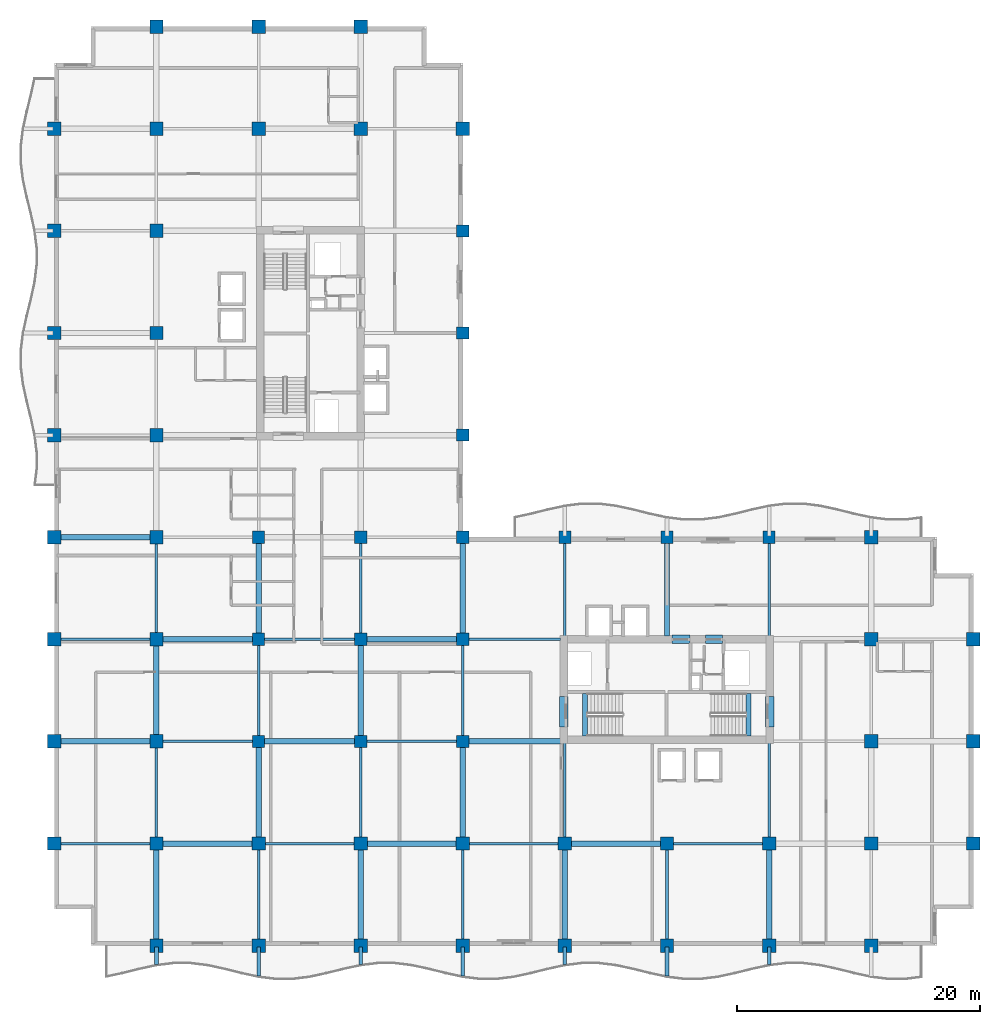
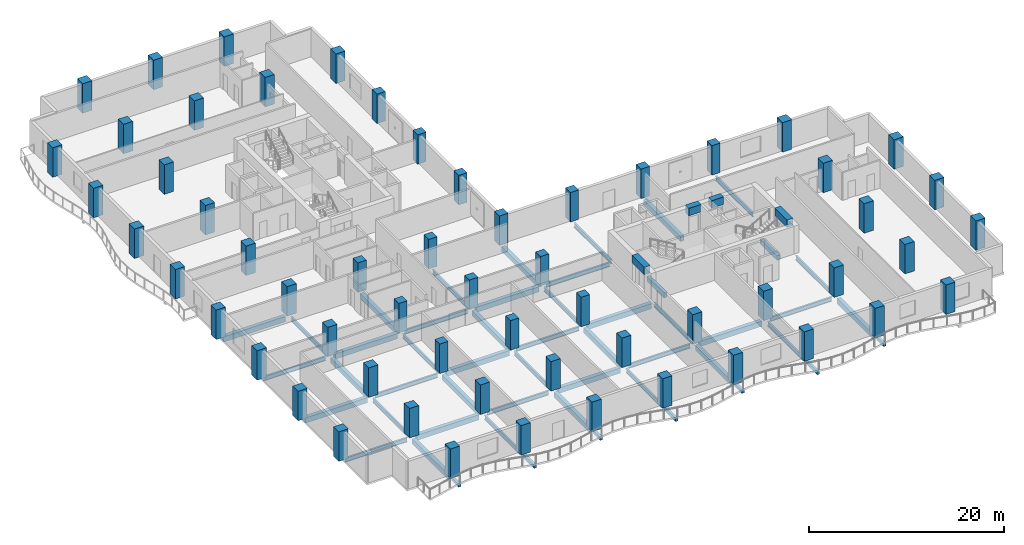
# One storey, part 1 of 15: 58 columns, 55 beams.
"""IFC4 building model written with IfcOpenShell, lengths in metres."""

from ifc_helpers import new_model, si_unit, direction, frame, origin, origin_2d, place, context, subcontext, project, spatial, rectangle, i_section, extrude, material, material_profile, profile_set, type_object, element, save


model = new_model("IFC4")

# Units and contexts
model_context = context("Model", 3, precision=1e-05, world=origin(), true_north=direction((0.0, 1.0)))
body_context = subcontext(model_context, "Body", "Model", "MODEL_VIEW")
ifc_project = project(units=[si_unit("LENGTHUNIT", "METRE"), si_unit("AREAUNIT", "SQUARE_METRE"), si_unit("VOLUMEUNIT", "CUBIC_METRE"), si_unit("PLANEANGLEUNIT", "RADIAN"), si_unit("MASSUNIT", "GRAM", prefix="KILO")], contexts=[model_context])

# Site, building, storey
site_placement = place(None, origin())
site = spatial("IfcSite", under=ifc_project, at=site_placement, CompositionType="ELEMENT")
building_placement = place(site_placement, origin())
building = spatial("IfcBuilding", under=site, at=building_placement, Name="Koriwani Terraces Tower", CompositionType="ELEMENT")
storey_placement = place(building_placement, frame((0.0, 0.0, 216.10009765625)))
storey = spatial("IfcBuildingStorey", under=building, at=storey_placement, Name="L53", CompositionType="ELEMENT", Elevation=216.10009765625)

# Columns
ifc_material_1 = material(Name="Concrete C50/60", Category="concrete")
ifc_material_profile_1 = material_profile(ifc_material_1, rectangle(XDim=1.0, YDim=1.0, at=origin_2d()), Name="Concrete C50/60", Category="LoadBearing")
ifc_profile_set_1 = profile_set([ifc_material_profile_1], Name="Concrete C50/60")
column_type_1 = type_object("IfcColumnType", Name="COL_RC_1000X1000", PredefinedType="COLUMN", material=ifc_profile_set_1)
for number, where, z_axis, x_axis, name in (
    (1, (16.800048828125, 16.800048828125, 0.0), (0.0, 0.0, 1.0), (1.0, 0.0, 0.0), "L53 Column 3/C"),
    (2, (16.800048828125, 25.199951171875, 0.0), (0.0, 0.0, 1.0), (1.0, 0.0, 0.0), "L53 Column 3/D"),
    (3, (16.800048828125, 33.60009765625, 0.0), (0.0, 0.0, 1.0), (1.0, 0.0, 0.0), "L53 Column 3/E"),
    (4, (25.199951171875, 16.800048828125, 0.0), (0.0, 0.0, 1.0), (1.0, 0.0, 0.0), "L53 Column 4/C"),
    (5, (25.199951171875, 25.199951171875, 0.0), (0.0, 0.0, 1.0), (1.0, 0.0, 0.0), "L53 Column 4/D"),
    (6, (25.199951171875, 33.60009765625, 0.0), (0.0, 0.0, 1.0), (1.0, 0.0, 0.0), "L53 Column 4/E"),
    (7, (33.60009765625, 16.800048828125, 0.0), (0.0, 0.0, 1.0), (1.0, 0.0, 0.0), "L53 Column 5/C"),
    (8, (33.60009765625, 25.199951171875, 0.0), (0.0, 0.0, 1.0), (1.0, 0.0, 0.0), "L53 Column 5/D"),
    (9, (33.60009765625, 33.60009765625, 0.0), (0.0, 0.0, 1.0), (1.0, 0.0, 0.0), "L53 Column 5/E"),
    (10, (33.60009765625, 42.0, 0.0), (0.0, 0.0, 1.0), (1.0, 0.0, 0.0), "L53 Column 5/F"),
    (11, (33.60009765625, 50.39990234375, 0.0), (0.0, 0.0, 1.0), (1.0, 0.0, 0.0), "L53 Column 5/G"),
    (12, (33.60009765625, 58.800048828125, 0.0), (0.0, 0.0, 1.0), (1.0, 0.0, 0.0), "L53 Column 5/H"),
    (13, (42.0, 33.60009765625, 0.0), (0.0, 0.0, 1.0), (1.0, 0.0, 0.0), "L53 Column 6/E"),
    (14, (50.39990234375, 33.60009765625, 0.0), (0.0, 0.0, 1.0), (1.0, 0.0, 0.0), "L53 Column 7/E"),
    (15, (58.800048828125, 33.60009765625, 0.0), (0.0, 0.0, 1.0), (1.0, 0.0, 0.0), "L53 Column 8/E"),
):
    element("IfcColumn", number, at=place(storey_placement, frame(where, z_axis=z_axis, x_axis=x_axis)), inside=storey, type_object=column_type_1, Name=name, PredefinedType="COLUMN", context=body_context, shape_type="SweptSolid", body=[
        extrude(rectangle(XDim=1.0, YDim=1.0, at=origin_2d()), origin(), (0.0, 0.0, 1.0), 3.699951171875),
    ])
ifc_material_profile_2 = material_profile(ifc_material_1, rectangle(XDim=1.10009765625, YDim=1.10009765625, at=origin_2d()), Name="Concrete C50/60", Category="LoadBearing")
ifc_profile_set_2 = profile_set([ifc_material_profile_2], Name="Concrete C50/60")
column_type_2 = type_object("IfcColumnType", Name="COL_RC_1100X1100", PredefinedType="COLUMN", material=ifc_profile_set_2)
for number, where, z_axis, x_axis, name in (
    (16, (0.0, 8.39990234375, 0.0), (0.0, 0.0, 1.0), (1.0, 0.0, 0.0), "L53 Column 1/B"),
    (17, (0.0, 16.800048828125, 0.0), (0.0, 0.0, 1.0), (1.0, 0.0, 0.0), "L53 Column 1/C"),
    (18, (0.0, 25.199951171875, 0.0), (0.0, 0.0, 1.0), (1.0, 0.0, 0.0), "L53 Column 1/D"),
    (19, (0.0, 33.60009765625, 0.0), (0.0, 0.0, 1.0), (1.0, 0.0, 0.0), "L53 Column 1/E"),
    (20, (0.0, 42.0, 0.0), (0.0, 0.0, 1.0), (1.0, 0.0, 0.0), "L53 Column 1/F"),
    (21, (0.0, 50.39990234375, 0.0), (0.0, 0.0, 1.0), (1.0, 0.0, 0.0), "L53 Column 1/G"),
    (22, (0.0, 58.800048828125, 0.0), (0.0, 0.0, 1.0), (1.0, 0.0, 0.0), "L53 Column 1/H"),
    (23, (0.0, 67.199951171875, 0.0), (0.0, 0.0, 1.0), (1.0, 0.0, 0.0), "L53 Column 1/I"),
    (24, (8.39990234375, 0.0, 0.0), (0.0, 0.0, 1.0), (1.0, 0.0, 0.0), "L53 Column 2/A"),
    (25, (8.39990234375, 8.39990234375, 0.0), (0.0, 0.0, 1.0), (1.0, 0.0, 0.0), "L53 Column 2/B"),
    (26, (8.39990234375, 16.800048828125, 0.0), (0.0, 0.0, 1.0), (1.0, 0.0, 0.0), "L53 Column 2/C"),
    (27, (8.39990234375, 25.199951171875, 0.0), (0.0, 0.0, 1.0), (1.0, 0.0, 0.0), "L53 Column 2/D"),
    (28, (8.39990234375, 33.60009765625, 0.0), (0.0, 0.0, 1.0), (1.0, 0.0, 0.0), "L53 Column 2/E"),
    (29, (8.39990234375, 42.0, 0.0), (0.0, 0.0, 1.0), (1.0, 0.0, 0.0), "L53 Column 2/F"),
    (30, (8.39990234375, 50.39990234375, 0.0), (0.0, 0.0, 1.0), (1.0, 0.0, 0.0), "L53 Column 2/G"),
    (31, (8.39990234375, 58.800048828125, 0.0), (0.0, 0.0, 1.0), (1.0, 0.0, 0.0), "L53 Column 2/H"),
    (32, (8.39990234375, 67.199951171875, 0.0), (0.0, 0.0, 1.0), (1.0, 0.0, 0.0), "L53 Column 2/I"),
    (33, (8.39990234375, 75.60009765625, 0.0), (0.0, 0.0, 1.0), (1.0, 0.0, 0.0), "L53 Column 2/J"),
    (34, (16.800048828125, 0.0, 0.0), (0.0, 0.0, 1.0), (1.0, 0.0, 0.0), "L53 Column 3/A"),
    (35, (16.800048828125, 8.39990234375, 0.0), (0.0, 0.0, 1.0), (1.0, 0.0, 0.0), "L53 Column 3/B"),
    (36, (16.800048828125, 67.199951171875, 0.0), (0.0, 0.0, 1.0), (1.0, 0.0, 0.0), "L53 Column 3/I"),
    (37, (16.800048828125, 75.60009765625, 0.0), (0.0, 0.0, 1.0), (1.0, 0.0, 0.0), "L53 Column 3/J"),
    (38, (25.199951171875, 0.0, 0.0), (0.0, 0.0, 1.0), (1.0, 0.0, 0.0), "L53 Column 4/A"),
    (39, (25.199951171875, 8.39990234375, 0.0), (0.0, 0.0, 1.0), (1.0, 0.0, 0.0), "L53 Column 4/B"),
    (40, (25.199951171875, 67.199951171875, 0.0), (0.0, 0.0, 1.0), (1.0, 0.0, 0.0), "L53 Column 4/I"),
    (41, (25.199951171875, 75.60009765625, 0.0), (0.0, 0.0, 1.0), (1.0, 0.0, 0.0), "L53 Column 4/J"),
    (42, (33.60009765625, 0.0, 0.0), (0.0, 0.0, 1.0), (1.0, 0.0, 0.0), "L53 Column 5/A"),
    (43, (33.60009765625, 8.39990234375, 0.0), (0.0, 0.0, 1.0), (1.0, 0.0, 0.0), "L53 Column 5/B"),
    (44, (33.60009765625, 67.199951171875, 0.0), (0.0, 0.0, 1.0), (1.0, 0.0, 0.0), "L53 Column 5/I"),
    (45, (42.0, 0.0, 0.0), (0.0, 0.0, 1.0), (1.0, 0.0, 0.0), "L53 Column 6/A"),
    (46, (42.0, 8.39990234375, 0.0), (0.0, 0.0, 1.0), (1.0, 0.0, 0.0), "L53 Column 6/B"),
    (47, (50.39990234375, 0.0, 0.0), (0.0, 0.0, 1.0), (1.0, 0.0, 0.0), "L53 Column 7/A"),
    (48, (50.39990234375, 8.39990234375, 0.0), (0.0, 0.0, 1.0), (1.0, 0.0, 0.0), "L53 Column 7/B"),
    (49, (58.800048828125, 0.0, 0.0), (0.0, 0.0, 1.0), (1.0, 0.0, 0.0), "L53 Column 8/A"),
    (50, (58.800048828125, 8.39990234375, 0.0), (0.0, 0.0, 1.0), (1.0, 0.0, 0.0), "L53 Column 8/B"),
    (51, (67.199951171875, 0.0, 0.0), (0.0, 0.0, 1.0), (1.0, 0.0, 0.0), "L53 Column 9/A"),
    (52, (67.199951171875, 8.39990234375, 0.0), (0.0, 0.0, 1.0), (1.0, 0.0, 0.0), "L53 Column 9/B"),
    (53, (67.199951171875, 16.800048828125, 0.0), (0.0, 0.0, 1.0), (1.0, 0.0, 0.0), "L53 Column 9/C"),
    (54, (67.199951171875, 25.199951171875, 0.0), (0.0, 0.0, 1.0), (1.0, 0.0, 0.0), "L53 Column 9/D"),
    (55, (67.199951171875, 33.60009765625, 0.0), (0.0, 0.0, 1.0), (1.0, 0.0, 0.0), "L53 Column 9/E"),
    (56, (75.60009765625, 8.39990234375, 0.0), (0.0, 0.0, 1.0), (1.0, 0.0, 0.0), "L53 Column 10/B"),
    (57, (75.60009765625, 16.800048828125, 0.0), (0.0, 0.0, 1.0), (1.0, 0.0, 0.0), "L53 Column 10/C"),
    (58, (75.60009765625, 25.199951171875, 0.0), (0.0, 0.0, 1.0), (1.0, 0.0, 0.0), "L53 Column 10/D"),
):
    element("IfcColumn", number, at=place(storey_placement, frame(where, z_axis=z_axis, x_axis=x_axis)), inside=storey, type_object=column_type_2, Name=name, PredefinedType="COLUMN", context=body_context, shape_type="SweptSolid", body=[
        extrude(rectangle(XDim=1.10009765625, YDim=1.10009765625, at=origin_2d()), origin(), (0.0, 0.0, 1.0), 3.699951171875),
    ])

# Beams
ifc_material_2 = material(Name="Concrete C40/50", Category="concrete")
ifc_material_profile_3 = material_profile(ifc_material_2, rectangle(XDim=0.300048828125, YDim=0.39990234375, at=origin_2d()), Name="Concrete C40/50", Category="LoadBearing")
ifc_profile_set_3 = profile_set([ifc_material_profile_3], Name="Concrete C40/50")
beam_type_1 = type_object("IfcBeamType", Name="BEAM_RC_BALCONY_RIB_300X400", PredefinedType="JOIST", material=ifc_profile_set_3)
beam_1_placement = place(storey_placement, frame((8.39990234375, -1.547607421875, -0.43017578125), z_axis=(0.0, 1.0, 0.0), x_axis=(-1.0, 0.0, 0.0)))
element("IfcBeam", 59, at=beam_1_placement, inside=storey, type_object=beam_type_1, Name="L53 Balcony Bracket Rib S-1", PredefinedType="JOIST", context=body_context, shape_type="SweptSolid", body=[
    extrude(rectangle(XDim=0.300048828125, YDim=0.39990234375, at=origin_2d()), origin(), (0.0, 0.0, 1.0), 1.447509765625),
])
beam_2_placement = place(storey_placement, frame((16.800048828125, -2.502197265625, -0.43017578125), z_axis=(0.0, 1.0, 0.0), x_axis=(-1.0, 0.0, 0.0)))
element("IfcBeam", 60, at=beam_2_placement, inside=storey, type_object=beam_type_1, Name="L53 Balcony Bracket Rib S-2", PredefinedType="JOIST", context=body_context, shape_type="SweptSolid", body=[
    extrude(rectangle(XDim=0.300048828125, YDim=0.39990234375, at=origin_2d()), origin(), (0.0, 0.0, 1.0), 2.402099609375),
])
beam_3_placement = place(storey_placement, frame((25.199951171875, -1.547607421875, -0.43017578125), z_axis=(0.0, 1.0, 0.0), x_axis=(-1.0, 0.0, 0.0)))
element("IfcBeam", 61, at=beam_3_placement, inside=storey, type_object=beam_type_1, Name="L53 Balcony Bracket Rib S-3", PredefinedType="JOIST", context=body_context, shape_type="SweptSolid", body=[
    extrude(rectangle(XDim=0.300048828125, YDim=0.39990234375, at=origin_2d()), origin(), (0.0, 0.0, 1.0), 1.447509765625),
])
beam_4_placement = place(storey_placement, frame((33.60009765625, -2.502197265625, -0.43017578125), z_axis=(0.0, 1.0, 0.0), x_axis=(-1.0, 0.0, 0.0)))
element("IfcBeam", 62, at=beam_4_placement, inside=storey, type_object=beam_type_1, Name="L53 Balcony Bracket Rib S-4", PredefinedType="JOIST", context=body_context, shape_type="SweptSolid", body=[
    extrude(rectangle(XDim=0.300048828125, YDim=0.39990234375, at=origin_2d()), origin(), (0.0, 0.0, 1.0), 2.402099609375),
])
beam_5_placement = place(storey_placement, frame((42.0, -1.547607421875, -0.43017578125), z_axis=(0.0, 1.0, 0.0), x_axis=(-1.0, 0.0, 0.0)))
element("IfcBeam", 63, at=beam_5_placement, inside=storey, type_object=beam_type_1, Name="L53 Balcony Bracket Rib S-5", PredefinedType="JOIST", context=body_context, shape_type="SweptSolid", body=[
    extrude(rectangle(XDim=0.300048828125, YDim=0.39990234375, at=origin_2d()), origin(), (0.0, 0.0, 1.0), 1.447509765625),
])
beam_6_placement = place(storey_placement, frame((50.39990234375, -2.502197265625, -0.43017578125), z_axis=(0.0, 1.0, 0.0), x_axis=(-1.0, 0.0, 0.0)))
element("IfcBeam", 64, at=beam_6_placement, inside=storey, type_object=beam_type_1, Name="L53 Balcony Bracket Rib S-6", PredefinedType="JOIST", context=body_context, shape_type="SweptSolid", body=[
    extrude(rectangle(XDim=0.300048828125, YDim=0.39990234375, at=origin_2d()), origin(), (0.0, 0.0, 1.0), 2.402099609375),
])
beam_7_placement = place(storey_placement, frame((58.800048828125, -1.547607421875, -0.43017578125), z_axis=(0.0, 1.0, 0.0), x_axis=(-1.0, 0.0, 0.0)))
element("IfcBeam", 65, at=beam_7_placement, inside=storey, type_object=beam_type_1, Name="L53 Balcony Bracket Rib S-7", PredefinedType="JOIST", context=body_context, shape_type="SweptSolid", body=[
    extrude(rectangle(XDim=0.300048828125, YDim=0.39990234375, at=origin_2d()), origin(), (0.0, 0.0, 1.0), 1.447509765625),
])
ifc_material_3 = material(Name="Concrete C60/75", Category="concrete")
ifc_material_profile_4 = material_profile(ifc_material_3, rectangle(XDim=0.699951171875, YDim=0.949951171875, at=origin_2d()), Name="Concrete C60/75", Category="LoadBearing")
ifc_profile_set_4 = profile_set([ifc_material_profile_4], Name="Concrete C60/75")
beam_type_2 = type_object("IfcBeamType", Name="BEAM_RC_COUPLING_700X950", PredefinedType="LINTEL", material=ifc_profile_set_4)
beam_8_placement = place(storey_placement, frame((50.800048828125, 25.199951171875, 2.994873046875), z_axis=(1.0, 0.0, 0.0), x_axis=(0.0, 1.0, 0.0)))
element("IfcBeam", 66, at=beam_8_placement, inside=storey, type_object=beam_type_2, Name="L53 Core Coupling Lintel Beam EN1", PredefinedType="LINTEL", context=body_context, shape_type="SweptSolid", body=[
    extrude(rectangle(XDim=0.699951171875, YDim=0.949951171875, at=origin_2d()), origin(), (0.0, 0.0, 1.0), 1.47998046875),
])
beam_9_placement = place(storey_placement, frame((53.550048828125, 25.199951171875, 2.994873046875), z_axis=(1.0, 0.0, 0.0), x_axis=(0.0, 1.0, 0.0)))
element("IfcBeam", 67, at=beam_9_placement, inside=storey, type_object=beam_type_2, Name="L53 Core Coupling Lintel Beam EN2", PredefinedType="LINTEL", context=body_context, shape_type="SweptSolid", body=[
    extrude(rectangle(XDim=0.699951171875, YDim=0.949951171875, at=origin_2d()), origin(), (0.0, 0.0, 1.0), 1.39990234375),
])
for number, where, z_axis, x_axis, name in (
    (68, (41.89990234375, 18.0, 2.994873046875), (0.0, 1.0, 0.0), (-1.0, 0.0, 0.0), "L53 Core Coupling Lintel Beam EW"),
    (69, (58.85009765625, 18.0, 2.994873046875), (0.0, 1.0, 0.0), (-1.0, 0.0, 0.0), "L53 Core Coupling Lintel Beam EE"),
):
    element("IfcBeam", number, at=place(storey_placement, frame(where, z_axis=z_axis, x_axis=x_axis)), inside=storey, type_object=beam_type_2, Name=name, PredefinedType="LINTEL", context=body_context, shape_type="SweptSolid", body=[
        extrude(rectangle(XDim=0.699951171875, YDim=0.949951171875, at=origin_2d()), origin(), (0.0, 0.0, 1.0), 2.5),
    ])
ifc_material_profile_5 = material_profile(ifc_material_2, rectangle(XDim=0.39990234375, YDim=0.60009765625, at=origin_2d()), Name="Concrete C40/50", Category="LoadBearing")
ifc_profile_set_5 = profile_set([ifc_material_profile_5], Name="Concrete C40/50")
beam_type_3 = type_object("IfcBeamType", Name="BEAM_RC_GRID_400X600", PredefinedType="BEAM", material=ifc_profile_set_5)
for number, where, z_axis, x_axis, name in (
    (70, (43.655029296875, 17.25, -0.300048828125), (0.0, 1.0, 0.0), (-1.0, 0.0, 0.0), "L53 Stairwell Header Trimmer Beam ST-E1"),
    (71, (57.094970703125, 17.25, -0.300048828125), (0.0, 1.0, 0.0), (-1.0, 0.0, 0.0), "L53 Stairwell Header Trimmer Beam ST-E2"),
):
    element("IfcBeam", number, at=place(storey_placement, frame(where, z_axis=z_axis, x_axis=x_axis)), inside=storey, type_object=beam_type_3, Name=name, PredefinedType="BEAM", context=body_context, shape_type="SweptSolid", body=[
        extrude(rectangle(XDim=0.39990234375, YDim=0.60009765625, at=origin_2d()), origin(), (0.0, 0.0, 1.0), 3.5),
    ])
ifc_material_profile_6 = material_profile(ifc_material_1, rectangle(XDim=0.449951171875, YDim=0.64990234375, at=origin_2d()), Name="Concrete C50/60", Category="LoadBearing")
ifc_profile_set_6 = profile_set([ifc_material_profile_6], Name="Concrete C50/60")
beam_type_4 = type_object("IfcBeamType", Name="BEAM_RC_GRID_450X650", PredefinedType="BEAM", material=ifc_profile_set_6)
for number, where, z_axis, x_axis, name in (
    (72, (8.929931640625, 8.39990234375, -0.55517578125), (1.0, 0.0, 0.0), (0.0, 1.0, 0.0), "L53 Grid Beam B (8.4-16.8m)"),
    (73, (25.72998046875, 8.39990234375, -0.55517578125), (1.0, 0.0, 0.0), (0.0, 1.0, 0.0), "L53 Grid Beam B (25.2-33.6m)"),
    (74, (42.530029296875, 8.39990234375, -0.55517578125), (1.0, 0.0, 0.0), (0.0, 1.0, 0.0), "L53 Grid Beam B (42.0-50.4m)"),
    (75, (0.530029296875, 16.800048828125, -0.55517578125), (1.0, 0.0, 0.0), (0.0, 1.0, 0.0), "L53 Grid Beam C (0.0-8.4m)"),
):
    element("IfcBeam", number, at=place(storey_placement, frame(where, z_axis=z_axis, x_axis=x_axis)), inside=storey, type_object=beam_type_4, Name=name, PredefinedType="BEAM", context=body_context, shape_type="SweptSolid", body=[
        extrude(rectangle(XDim=0.449951171875, YDim=0.64990234375, at=origin_2d()), origin(), (0.0, 0.0, 1.0), 7.340087890625),
    ])
beam_10_placement = place(storey_placement, frame((17.280029296875, 16.800048828125, -0.55517578125), z_axis=(1.0, 0.0, 0.0), x_axis=(0.0, 1.0, 0.0)))
element("IfcBeam", 76, at=beam_10_placement, inside=storey, type_object=beam_type_4, Name="L53 Grid Beam C (16.8-25.2m)", PredefinedType="BEAM", context=body_context, shape_type="SweptSolid", body=[
    extrude(rectangle(XDim=0.449951171875, YDim=0.64990234375, at=origin_2d()), origin(), (0.0, 0.0, 1.0), 7.43994140625),
])
beam_11_placement = place(storey_placement, frame((34.080078125, 16.800048828125, -0.55517578125), z_axis=(1.0, 0.0, 0.0), x_axis=(0.0, 1.0, 0.0)))
element("IfcBeam", 77, at=beam_11_placement, inside=storey, type_object=beam_type_4, Name="L53 Grid Beam C (33.6-42.0m)", PredefinedType="BEAM", context=body_context, shape_type="SweptSolid", body=[
    extrude(rectangle(XDim=0.449951171875, YDim=0.64990234375, at=origin_2d()), origin(), (0.0, 0.0, 1.0), 7.5400390625),
])
beam_12_placement = place(storey_placement, frame((8.929931640625, 25.199951171875, -0.55517578125), z_axis=(1.0, 0.0, 0.0), x_axis=(0.0, 1.0, 0.0)))
element("IfcBeam", 78, at=beam_12_placement, inside=storey, type_object=beam_type_4, Name="L53 Grid Beam D (8.4-16.8m)", PredefinedType="BEAM", context=body_context, shape_type="SweptSolid", body=[
    extrude(rectangle(XDim=0.449951171875, YDim=0.64990234375, at=origin_2d()), origin(), (0.0, 0.0, 1.0), 7.39013671875),
])
beam_13_placement = place(storey_placement, frame((25.679931640625, 25.199951171875, -0.55517578125), z_axis=(1.0, 0.0, 0.0), x_axis=(0.0, 1.0, 0.0)))
element("IfcBeam", 79, at=beam_13_placement, inside=storey, type_object=beam_type_4, Name="L53 Grid Beam D (25.2-33.6m)", PredefinedType="BEAM", context=body_context, shape_type="SweptSolid", body=[
    extrude(rectangle(XDim=0.449951171875, YDim=0.64990234375, at=origin_2d()), origin(), (0.0, 0.0, 1.0), 7.440185546875),
])
for number, where, z_axis, x_axis, name in (
    (80, (0.530029296875, 33.60009765625, -0.55517578125), (1.0, 0.0, 0.0), (0.0, 1.0, 0.0), "L53 Grid Beam E (0.0-8.4m)"),
    (81, (8.39990234375, 0.530029296875, -0.55517578125), (0.0, 1.0, 0.0), (-1.0, 0.0, 0.0), "L53 Grid Beam 2 (0.0-8.4m)"),
):
    element("IfcBeam", number, at=place(storey_placement, frame(where, z_axis=z_axis, x_axis=x_axis)), inside=storey, type_object=beam_type_4, Name=name, PredefinedType="BEAM", context=body_context, shape_type="SweptSolid", body=[
        extrude(rectangle(XDim=0.449951171875, YDim=0.64990234375, at=origin_2d()), origin(), (0.0, 0.0, 1.0), 7.340087890625),
    ])
beam_14_placement = place(storey_placement, frame((8.39990234375, 17.330078125, -0.55517578125), z_axis=(0.0, 1.0, 0.0), x_axis=(-1.0, 0.0, 0.0)))
element("IfcBeam", 82, at=beam_14_placement, inside=storey, type_object=beam_type_4, Name="L53 Grid Beam 2 (16.8-25.2m)", PredefinedType="BEAM", context=body_context, shape_type="SweptSolid", body=[
    extrude(rectangle(XDim=0.449951171875, YDim=0.64990234375, at=origin_2d()), origin(), (0.0, 0.0, 1.0), 7.33984375),
])
beam_15_placement = place(storey_placement, frame((16.800048828125, 8.929931640625, -0.55517578125), z_axis=(0.0, 1.0, 0.0), x_axis=(-1.0, 0.0, 0.0)))
element("IfcBeam", 83, at=beam_15_placement, inside=storey, type_object=beam_type_4, Name="L53 Grid Beam 3 (8.4-16.8m)", PredefinedType="BEAM", context=body_context, shape_type="SweptSolid", body=[
    extrude(rectangle(XDim=0.449951171875, YDim=0.64990234375, at=origin_2d()), origin(), (0.0, 0.0, 1.0), 7.39013671875),
])
beam_16_placement = place(storey_placement, frame((16.800048828125, 25.679931640625, -0.55517578125), z_axis=(0.0, 1.0, 0.0), x_axis=(-1.0, 0.0, 0.0)))
element("IfcBeam", 84, at=beam_16_placement, inside=storey, type_object=beam_type_4, Name="L53 Grid Beam 3 (25.2-33.6m)", PredefinedType="BEAM", context=body_context, shape_type="SweptSolid", body=[
    extrude(rectangle(XDim=0.449951171875, YDim=0.64990234375, at=origin_2d()), origin(), (0.0, 0.0, 1.0), 7.440185546875),
])
beam_17_placement = place(storey_placement, frame((25.199951171875, 0.530029296875, -0.55517578125), z_axis=(0.0, 1.0, 0.0), x_axis=(-1.0, 0.0, 0.0)))
element("IfcBeam", 85, at=beam_17_placement, inside=storey, type_object=beam_type_4, Name="L53 Grid Beam 4 (0.0-8.4m)", PredefinedType="BEAM", context=body_context, shape_type="SweptSolid", body=[
    extrude(rectangle(XDim=0.449951171875, YDim=0.64990234375, at=origin_2d()), origin(), (0.0, 0.0, 1.0), 7.340087890625),
])
beam_18_placement = place(storey_placement, frame((25.199951171875, 17.280029296875, -0.55517578125), z_axis=(0.0, 1.0, 0.0), x_axis=(-1.0, 0.0, 0.0)))
element("IfcBeam", 86, at=beam_18_placement, inside=storey, type_object=beam_type_4, Name="L53 Grid Beam 4 (16.8-25.2m)", PredefinedType="BEAM", context=body_context, shape_type="SweptSolid", body=[
    extrude(rectangle(XDim=0.449951171875, YDim=0.64990234375, at=origin_2d()), origin(), (0.0, 0.0, 1.0), 7.43994140625),
])
beam_19_placement = place(storey_placement, frame((33.60009765625, 8.929931640625, -0.55517578125), z_axis=(0.0, 1.0, 0.0), x_axis=(-1.0, 0.0, 0.0)))
element("IfcBeam", 87, at=beam_19_placement, inside=storey, type_object=beam_type_4, Name="L53 Grid Beam 5 (8.4-16.8m)", PredefinedType="BEAM", context=body_context, shape_type="SweptSolid", body=[
    extrude(rectangle(XDim=0.449951171875, YDim=0.64990234375, at=origin_2d()), origin(), (0.0, 0.0, 1.0), 7.39013671875),
])
beam_20_placement = place(storey_placement, frame((33.60009765625, 25.679931640625, -0.55517578125), z_axis=(0.0, 1.0, 0.0), x_axis=(-1.0, 0.0, 0.0)))
element("IfcBeam", 88, at=beam_20_placement, inside=storey, type_object=beam_type_4, Name="L53 Grid Beam 5 (25.2-33.6m)", PredefinedType="BEAM", context=body_context, shape_type="SweptSolid", body=[
    extrude(rectangle(XDim=0.449951171875, YDim=0.64990234375, at=origin_2d()), origin(), (0.0, 0.0, 1.0), 7.440185546875),
])
beam_21_placement = place(storey_placement, frame((42.0, 0.530029296875, -0.55517578125), z_axis=(0.0, 1.0, 0.0), x_axis=(-1.0, 0.0, 0.0)))
element("IfcBeam", 89, at=beam_21_placement, inside=storey, type_object=beam_type_4, Name="L53 Grid Beam 6 (0.0-8.4m)", PredefinedType="BEAM", context=body_context, shape_type="SweptSolid", body=[
    extrude(rectangle(XDim=0.449951171875, YDim=0.64990234375, at=origin_2d()), origin(), (0.0, 0.0, 1.0), 7.340087890625),
])
beam_22_placement = place(storey_placement, frame((50.39990234375, 25.47998046875, -0.55517578125), z_axis=(0.0, 1.0, 0.0), x_axis=(-1.0, 0.0, 0.0)))
element("IfcBeam", 90, at=beam_22_placement, inside=storey, type_object=beam_type_4, Name="L53 Grid Beam 7 (25.2-33.6m)", PredefinedType="BEAM", context=body_context, shape_type="SweptSolid", body=[
    extrude(rectangle(XDim=0.449951171875, YDim=0.64990234375, at=origin_2d()), origin(), (0.0, 0.0, 1.0), 7.64013671875),
])
beam_23_placement = place(storey_placement, frame((58.800048828125, 0.530029296875, -0.55517578125), z_axis=(0.0, 1.0, 0.0), x_axis=(-1.0, 0.0, 0.0)))
element("IfcBeam", 91, at=beam_23_placement, inside=storey, type_object=beam_type_4, Name="L53 Grid Beam 8 (0.0-8.4m)", PredefinedType="BEAM", context=body_context, shape_type="SweptSolid", body=[
    extrude(rectangle(XDim=0.449951171875, YDim=0.64990234375, at=origin_2d()), origin(), (0.0, 0.0, 1.0), 7.340087890625),
])
ifc_material_4 = material(Name="Steel ASTM A572 Grade 50", Category="steel")
ifc_material_profile_7 = material_profile(ifc_material_4, i_section(OverallWidth=0.2109375, OverallDepth=0.5390625, WebThickness=0.01171875, FlangeThickness=0.018798828125, at=origin_2d()), Name="Steel ASTM A572 Grade 50", Category="LoadBearing")
ifc_profile_set_7 = profile_set([ifc_material_profile_7], Name="Steel ASTM A572 Grade 50")
beam_type_5 = type_object("IfcBeamType", Name="STEEL_BEAM_W530X109", PredefinedType="BEAM", material=ifc_profile_set_7)
beam_24_placement = place(storey_placement, frame((0.530029296875, 8.39990234375, -0.49951171875), z_axis=(1.0, 0.0, 0.0), x_axis=(0.0, 1.0, 0.0)))
element("IfcBeam", 92, at=beam_24_placement, inside=storey, type_object=beam_type_5, Name="L53 Grid Beam B (0.0-8.4m)", PredefinedType="BEAM", context=body_context, shape_type="SweptSolid", body=[
    extrude(i_section(OverallWidth=0.2109375, OverallDepth=0.5390625, WebThickness=0.01171875, FlangeThickness=0.018798828125, at=origin_2d()), origin(), (0.0, 0.0, 1.0), 7.340087890625),
])
beam_25_placement = place(storey_placement, frame((17.330078125, 8.39990234375, -0.49951171875), z_axis=(1.0, 0.0, 0.0), x_axis=(0.0, 1.0, 0.0)))
element("IfcBeam", 93, at=beam_25_placement, inside=storey, type_object=beam_type_5, Name="L53 Grid Beam B (16.8-25.2m)", PredefinedType="BEAM", context=body_context, shape_type="SweptSolid", body=[
    extrude(i_section(OverallWidth=0.2109375, OverallDepth=0.5390625, WebThickness=0.01171875, FlangeThickness=0.018798828125, at=origin_2d()), origin(), (0.0, 0.0, 1.0), 7.33984375),
])
for number, where, z_axis, x_axis, name in (
    (94, (34.1298828125, 8.39990234375, -0.49951171875), (1.0, 0.0, 0.0), (0.0, 1.0, 0.0), "L53 Grid Beam B (33.6-42.0m)"),
    (95, (50.929931640625, 8.39990234375, -0.49951171875), (1.0, 0.0, 0.0), (0.0, 1.0, 0.0), "L53 Grid Beam B (50.4-58.8m)"),
):
    element("IfcBeam", number, at=place(storey_placement, frame(where, z_axis=z_axis, x_axis=x_axis)), inside=storey, type_object=beam_type_5, Name=name, PredefinedType="BEAM", context=body_context, shape_type="SweptSolid", body=[
        extrude(i_section(OverallWidth=0.2109375, OverallDepth=0.5390625, WebThickness=0.01171875, FlangeThickness=0.018798828125, at=origin_2d()), origin(), (0.0, 0.0, 1.0), 7.340087890625),
    ])
beam_26_placement = place(storey_placement, frame((8.929931640625, 16.800048828125, -0.49951171875), z_axis=(1.0, 0.0, 0.0), x_axis=(0.0, 1.0, 0.0)))
element("IfcBeam", 96, at=beam_26_placement, inside=storey, type_object=beam_type_5, Name="L53 Grid Beam C (8.4-16.8m)", PredefinedType="BEAM", context=body_context, shape_type="SweptSolid", body=[
    extrude(i_section(OverallWidth=0.2109375, OverallDepth=0.5390625, WebThickness=0.01171875, FlangeThickness=0.018798828125, at=origin_2d()), origin(), (0.0, 0.0, 1.0), 7.39013671875),
])
beam_27_placement = place(storey_placement, frame((25.679931640625, 16.800048828125, -0.49951171875), z_axis=(1.0, 0.0, 0.0), x_axis=(0.0, 1.0, 0.0)))
element("IfcBeam", 97, at=beam_27_placement, inside=storey, type_object=beam_type_5, Name="L53 Grid Beam C (25.2-33.6m)", PredefinedType="BEAM", context=body_context, shape_type="SweptSolid", body=[
    extrude(i_section(OverallWidth=0.2109375, OverallDepth=0.5390625, WebThickness=0.01171875, FlangeThickness=0.018798828125, at=origin_2d()), origin(), (0.0, 0.0, 1.0), 7.440185546875),
])
beam_28_placement = place(storey_placement, frame((0.530029296875, 25.199951171875, -0.49951171875), z_axis=(1.0, 0.0, 0.0), x_axis=(0.0, 1.0, 0.0)))
element("IfcBeam", 98, at=beam_28_placement, inside=storey, type_object=beam_type_5, Name="L53 Grid Beam D (0.0-8.4m)", PredefinedType="BEAM", context=body_context, shape_type="SweptSolid", body=[
    extrude(i_section(OverallWidth=0.2109375, OverallDepth=0.5390625, WebThickness=0.01171875, FlangeThickness=0.018798828125, at=origin_2d()), origin(), (0.0, 0.0, 1.0), 7.340087890625),
])
beam_29_placement = place(storey_placement, frame((17.280029296875, 25.199951171875, -0.49951171875), z_axis=(1.0, 0.0, 0.0), x_axis=(0.0, 1.0, 0.0)))
element("IfcBeam", 99, at=beam_29_placement, inside=storey, type_object=beam_type_5, Name="L53 Grid Beam D (16.8-25.2m)", PredefinedType="BEAM", context=body_context, shape_type="SweptSolid", body=[
    extrude(i_section(OverallWidth=0.2109375, OverallDepth=0.5390625, WebThickness=0.01171875, FlangeThickness=0.018798828125, at=origin_2d()), origin(), (0.0, 0.0, 1.0), 7.43994140625),
])
beam_30_placement = place(storey_placement, frame((34.080078125, 25.199951171875, -0.49951171875), z_axis=(1.0, 0.0, 0.0), x_axis=(0.0, 1.0, 0.0)))
element("IfcBeam", 100, at=beam_30_placement, inside=storey, type_object=beam_type_5, Name="L53 Grid Beam D (33.6-42.0m)", PredefinedType="BEAM", context=body_context, shape_type="SweptSolid", body=[
    extrude(i_section(OverallWidth=0.2109375, OverallDepth=0.5390625, WebThickness=0.01171875, FlangeThickness=0.018798828125, at=origin_2d()), origin(), (0.0, 0.0, 1.0), 7.5400390625),
])
for number, where, z_axis, x_axis, name in (
    (101, (8.39990234375, 8.929931640625, -0.49951171875), (0.0, 1.0, 0.0), (-1.0, 0.0, 0.0), "L53 Grid Beam 2 (8.4-16.8m)"),
    (102, (8.39990234375, 25.72998046875, -0.49951171875), (0.0, 1.0, 0.0), (-1.0, 0.0, 0.0), "L53 Grid Beam 2 (25.2-33.6m)"),
    (103, (16.800048828125, 0.530029296875, -0.49951171875), (0.0, 1.0, 0.0), (-1.0, 0.0, 0.0), "L53 Grid Beam 3 (0.0-8.4m)"),
):
    element("IfcBeam", number, at=place(storey_placement, frame(where, z_axis=z_axis, x_axis=x_axis)), inside=storey, type_object=beam_type_5, Name=name, PredefinedType="BEAM", context=body_context, shape_type="SweptSolid", body=[
        extrude(i_section(OverallWidth=0.2109375, OverallDepth=0.5390625, WebThickness=0.01171875, FlangeThickness=0.018798828125, at=origin_2d()), origin(), (0.0, 0.0, 1.0), 7.340087890625),
    ])
beam_31_placement = place(storey_placement, frame((16.800048828125, 17.280029296875, -0.49951171875), z_axis=(0.0, 1.0, 0.0), x_axis=(-1.0, 0.0, 0.0)))
element("IfcBeam", 104, at=beam_31_placement, inside=storey, type_object=beam_type_5, Name="L53 Grid Beam 3 (16.8-25.2m)", PredefinedType="BEAM", context=body_context, shape_type="SweptSolid", body=[
    extrude(i_section(OverallWidth=0.2109375, OverallDepth=0.5390625, WebThickness=0.01171875, FlangeThickness=0.018798828125, at=origin_2d()), origin(), (0.0, 0.0, 1.0), 7.43994140625),
])
beam_32_placement = place(storey_placement, frame((25.199951171875, 8.929931640625, -0.49951171875), z_axis=(0.0, 1.0, 0.0), x_axis=(-1.0, 0.0, 0.0)))
element("IfcBeam", 105, at=beam_32_placement, inside=storey, type_object=beam_type_5, Name="L53 Grid Beam 4 (8.4-16.8m)", PredefinedType="BEAM", context=body_context, shape_type="SweptSolid", body=[
    extrude(i_section(OverallWidth=0.2109375, OverallDepth=0.5390625, WebThickness=0.01171875, FlangeThickness=0.018798828125, at=origin_2d()), origin(), (0.0, 0.0, 1.0), 7.39013671875),
])
beam_33_placement = place(storey_placement, frame((25.199951171875, 25.679931640625, -0.49951171875), z_axis=(0.0, 1.0, 0.0), x_axis=(-1.0, 0.0, 0.0)))
element("IfcBeam", 106, at=beam_33_placement, inside=storey, type_object=beam_type_5, Name="L53 Grid Beam 4 (25.2-33.6m)", PredefinedType="BEAM", context=body_context, shape_type="SweptSolid", body=[
    extrude(i_section(OverallWidth=0.2109375, OverallDepth=0.5390625, WebThickness=0.01171875, FlangeThickness=0.018798828125, at=origin_2d()), origin(), (0.0, 0.0, 1.0), 7.440185546875),
])
beam_34_placement = place(storey_placement, frame((33.60009765625, 0.530029296875, -0.49951171875), z_axis=(0.0, 1.0, 0.0), x_axis=(-1.0, 0.0, 0.0)))
element("IfcBeam", 107, at=beam_34_placement, inside=storey, type_object=beam_type_5, Name="L53 Grid Beam 5 (0.0-8.4m)", PredefinedType="BEAM", context=body_context, shape_type="SweptSolid", body=[
    extrude(i_section(OverallWidth=0.2109375, OverallDepth=0.5390625, WebThickness=0.01171875, FlangeThickness=0.018798828125, at=origin_2d()), origin(), (0.0, 0.0, 1.0), 7.340087890625),
])
beam_35_placement = place(storey_placement, frame((33.60009765625, 17.280029296875, -0.49951171875), z_axis=(0.0, 1.0, 0.0), x_axis=(-1.0, 0.0, 0.0)))
element("IfcBeam", 108, at=beam_35_placement, inside=storey, type_object=beam_type_5, Name="L53 Grid Beam 5 (16.8-25.2m)", PredefinedType="BEAM", context=body_context, shape_type="SweptSolid", body=[
    extrude(i_section(OverallWidth=0.2109375, OverallDepth=0.5390625, WebThickness=0.01171875, FlangeThickness=0.018798828125, at=origin_2d()), origin(), (0.0, 0.0, 1.0), 7.43994140625),
])
beam_36_placement = place(storey_placement, frame((42.0, 8.929931640625, -0.49951171875), z_axis=(0.0, 1.0, 0.0), x_axis=(-1.0, 0.0, 0.0)))
element("IfcBeam", 109, at=beam_36_placement, inside=storey, type_object=beam_type_5, Name="L53 Grid Beam 6 (8.4-16.8m)", PredefinedType="BEAM", context=body_context, shape_type="SweptSolid", body=[
    extrude(i_section(OverallWidth=0.2109375, OverallDepth=0.5390625, WebThickness=0.01171875, FlangeThickness=0.018798828125, at=origin_2d()), origin(), (0.0, 0.0, 1.0), 7.739990234375),
])
beam_37_placement = place(storey_placement, frame((42.0, 25.47998046875, -0.49951171875), z_axis=(0.0, 1.0, 0.0), x_axis=(-1.0, 0.0, 0.0)))
element("IfcBeam", 110, at=beam_37_placement, inside=storey, type_object=beam_type_5, Name="L53 Grid Beam 6 (25.2-33.6m)", PredefinedType="BEAM", context=body_context, shape_type="SweptSolid", body=[
    extrude(i_section(OverallWidth=0.2109375, OverallDepth=0.5390625, WebThickness=0.01171875, FlangeThickness=0.018798828125, at=origin_2d()), origin(), (0.0, 0.0, 1.0), 7.64013671875),
])
beam_38_placement = place(storey_placement, frame((50.39990234375, 0.530029296875, -0.49951171875), z_axis=(0.0, 1.0, 0.0), x_axis=(-1.0, 0.0, 0.0)))
element("IfcBeam", 111, at=beam_38_placement, inside=storey, type_object=beam_type_5, Name="L53 Grid Beam 7 (0.0-8.4m)", PredefinedType="BEAM", context=body_context, shape_type="SweptSolid", body=[
    extrude(i_section(OverallWidth=0.2109375, OverallDepth=0.5390625, WebThickness=0.01171875, FlangeThickness=0.018798828125, at=origin_2d()), origin(), (0.0, 0.0, 1.0), 7.340087890625),
])
beam_39_placement = place(storey_placement, frame((58.800048828125, 8.929931640625, -0.49951171875), z_axis=(0.0, 1.0, 0.0), x_axis=(-1.0, 0.0, 0.0)))
element("IfcBeam", 112, at=beam_39_placement, inside=storey, type_object=beam_type_5, Name="L53 Grid Beam 8 (8.4-16.8m)", PredefinedType="BEAM", context=body_context, shape_type="SweptSolid", body=[
    extrude(i_section(OverallWidth=0.2109375, OverallDepth=0.5390625, WebThickness=0.01171875, FlangeThickness=0.018798828125, at=origin_2d()), origin(), (0.0, 0.0, 1.0), 7.739990234375),
])
beam_40_placement = place(storey_placement, frame((58.800048828125, 25.47998046875, -0.49951171875), z_axis=(0.0, 1.0, 0.0), x_axis=(-1.0, 0.0, 0.0)))
element("IfcBeam", 113, at=beam_40_placement, inside=storey, type_object=beam_type_5, Name="L53 Grid Beam 8 (25.2-33.6m)", PredefinedType="BEAM", context=body_context, shape_type="SweptSolid", body=[
    extrude(i_section(OverallWidth=0.2109375, OverallDepth=0.5390625, WebThickness=0.01171875, FlangeThickness=0.018798828125, at=origin_2d()), origin(), (0.0, 0.0, 1.0), 7.64013671875),
])

save(model, "model.ifc")
